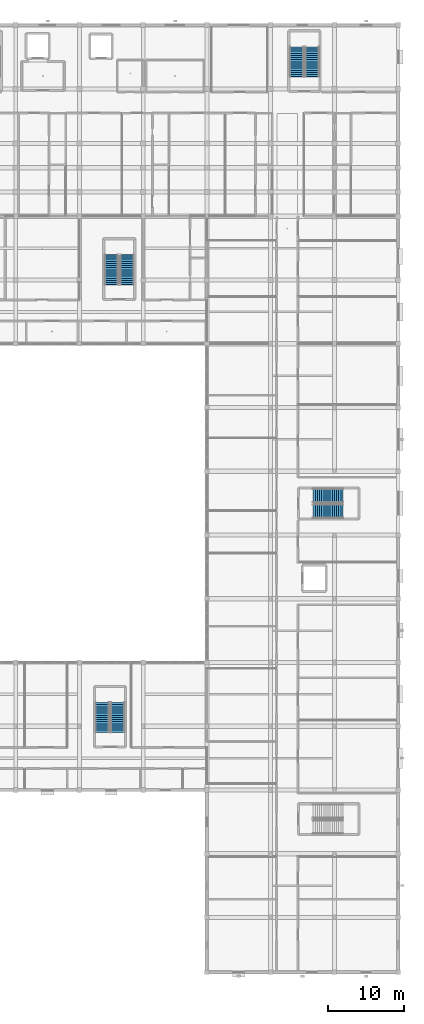
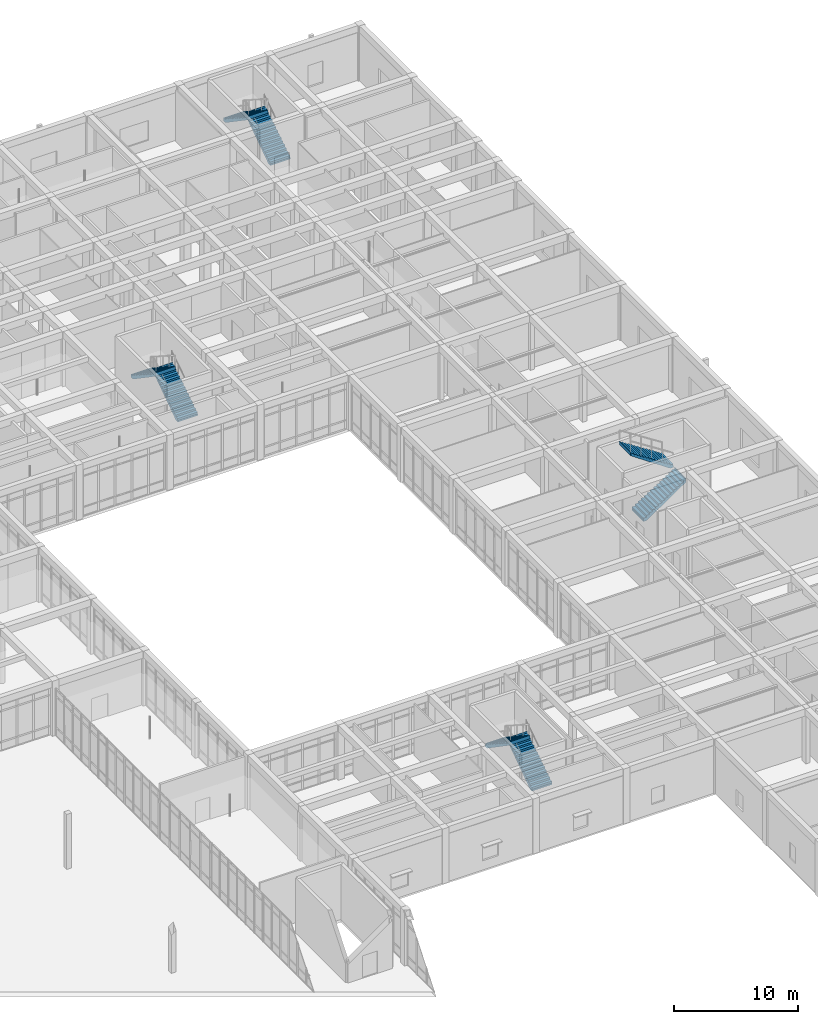
# One storey, part 98 of 157: 8 stair flights, 4 elements without a shape of their own.
"""IFC4 building model written with IfcOpenShell, lengths in metres."""

import ifcopenshell
import ifcopenshell.guid

model = None  # the IFC model being written
_history = None  # IfcOwnerHistory: only IFC2X3 demands one
_inside = {}  # id of a spatial element -> (the spatial element, [elements in it])
_under = {}  # id of a project, library or spatial element -> (it, [spatial elements below it])
_declared = {}  # id of a project -> (the project, [libraries it declares])
_typed = {}  # id of a type object -> (the type object, [elements of that type])
_made_of = {}  # id of a material, layer set ... -> (it, [elements and type objects made of it])


def new_model(schema):
    """Start an empty IFC model of exactly this schema.

    Asked for "IFC4X3", IfcOpenShell would pick the latest addendum, in which some entities
    have other attributes; the version numbers below select the first issue.
    IFC2X3 requires an IfcOwnerHistory on every rooted entity: one is made here for all.
    """
    global model, _history
    if schema == "IFC4X3":
        model = ifcopenshell.file(schema_version=(4, 3, 0, 0))
    else:
        model = ifcopenshell.file(schema=schema)
    _inside.clear()
    _under.clear()
    _declared.clear()
    _typed.clear()
    _made_of.clear()
    _history = None
    if model.schema == "IFC2X3":
        org = make("IfcOrganization", Name="unknown")
        user = make(
            "IfcPersonAndOrganization",
            ThePerson=make("IfcPerson", FamilyName="unknown"),
            TheOrganization=org,
        )
        app = make(
            "IfcApplication",
            ApplicationDeveloper=org,
            Version="unknown",
            ApplicationFullName="unknown",
            ApplicationIdentifier="unknown",
        )
        _history = make(
            "IfcOwnerHistory",
            OwningUser=user,
            OwningApplication=app,
            ChangeAction="ADDED",
            CreationDate=0,
        )
    return model


def make(cls, **values):
    """One entity of the class cls with the attributes given. An attribute that is None is left unset."""
    return model.create_entity(
        cls, **{name: value for name, value in values.items() if value is not None}
    )


def rooted(cls, **values):
    """An entity with a GlobalId (a new one), such as an element, a storey or a relation."""
    return make(cls, GlobalId=ifcopenshell.guid.new(), OwnerHistory=_history, **values)


def si_unit(unit_type, name, prefix=None):
    """IfcSIUnit, for example si_unit("LENGTHUNIT", "METRE", prefix="MILLI")."""
    return make("IfcSIUnit", UnitType=unit_type, Prefix=prefix, Name=name)


def assignment(units):
    """IfcUnitAssignment: the units of a project."""
    return None if units is None else make("IfcUnitAssignment", Units=units)


def point(xyz):
    """IfcCartesianPoint."""
    return None if xyz is None else make("IfcCartesianPoint", Coordinates=xyz)


def direction(xyz):
    """IfcDirection."""
    return None if xyz is None else make("IfcDirection", DirectionRatios=xyz)


def frame(location, z_axis=None, x_axis=None):
    """IfcAxis2Placement3D, a coordinate frame: its origin and axes. An axis left out is left unset."""
    return make(
        "IfcAxis2Placement3D",
        Location=point(location),
        Axis=direction(z_axis),
        RefDirection=direction(x_axis),
    )


def origin():
    """The frame at (0, 0, 0) with its axes left unset."""
    return frame((0.0, 0.0, 0.0))


def place(relative_to, where):
    """IfcLocalPlacement: puts the frame where relative to a parent placement (None: the world)."""
    return make(
        "IfcLocalPlacement", PlacementRelTo=relative_to, RelativePlacement=where
    )


def context(
    kind, dimensions, precision=None, world=None, true_north=None, identifier=None
):
    """IfcGeometricRepresentationContext, for example the 3D "Model" context."""
    return make(
        "IfcGeometricRepresentationContext",
        ContextIdentifier=identifier,
        ContextType=kind,
        CoordinateSpaceDimension=dimensions,
        Precision=precision,
        WorldCoordinateSystem=world,
        TrueNorth=true_north,
    )


def subcontext(parent, identifier, kind, view, scale=None):
    """IfcGeometricRepresentationSubContext, for example "Body" below "Model"."""
    return make(
        "IfcGeometricRepresentationSubContext",
        ContextIdentifier=identifier,
        ContextType=kind,
        ParentContext=parent,
        TargetScale=scale,
        TargetView=view,
    )


def project(units=None, contexts=None):
    """IfcProject with its units and contexts."""
    return rooted(
        "IfcProject",
        Name="project",
        RepresentationContexts=contexts,
        UnitsInContext=assignment(units),
    )


def spatial(cls, under=None, at=None, **own):
    """A site, building, storey or space (cls), placed at a placement, below another one or the project."""
    s = rooted(cls, ObjectPlacement=at, **own)
    if under is not None:
        _under.setdefault(under.id(), (under, []))[1].append(s)
    return s


def polyline(points):
    """IfcPolyline through the points."""
    return make("IfcPolyline", Points=[point(p) for p in points])


def outline(outer, holes=None, kind="AREA"):
    """IfcArbitraryClosedProfileDef: a profile drawn as a closed curve; with holes, ...WithVoids."""
    if holes is None:
        return make("IfcArbitraryClosedProfileDef", ProfileType=kind, OuterCurve=outer)
    return make(
        "IfcArbitraryProfileDefWithVoids",
        ProfileType=kind,
        OuterCurve=outer,
        InnerCurves=holes,
    )


def extrude(swept, where, along, depth):
    """IfcExtrudedAreaSolid: the profile swept, set in the frame where, extruded along a direction by depth."""
    return make(
        "IfcExtrudedAreaSolid",
        SweptArea=swept,
        Position=where,
        ExtrudedDirection=direction(along),
        Depth=depth,
    )


def shape(context_of_items, identifier, shape_type, items):
    """IfcShapeRepresentation: the items that make up one representation, for example the "Body"."""
    return make(
        "IfcShapeRepresentation",
        ContextOfItems=context_of_items,
        RepresentationIdentifier=identifier,
        RepresentationType=shape_type,
        Items=items,
    )


def material(Name=None, Category=None):
    """IfcMaterial."""
    return make("IfcMaterial", Name=Name, Category=Category)


def made_of(thing, what):
    """Note that an element or type object is made of a material, layer set ...; save() writes the relation."""
    if what is not None:
        _made_of.setdefault(what.id(), (what, []))[1].append(thing)
    return thing


def type_object(cls, material=None, **own):
    """A type object (cls), such as IfcWallType, which elements share."""
    return made_of(rooted(cls, **own), material)


def element(
    cls,
    number,
    at=None,
    inside=None,
    cuts=None,
    type_object=None,
    material=None,
    context=None,
    identifier="Body",
    shape_type=None,
    held_by="IfcProductDefinitionShape",
    body=None,
    shapes=None,
    **own,
):
    """One element of the class cls, such as IfcWall. Its Tag is "e" and its number.

    at: its placement. inside: the storey or other place that contains it. cuts: it is an
    opening in that element (IfcRelVoidsElement). A single representation is given by context,
    identifier, shape_type and body (its items); several are given by shapes. held_by: the class
    of the entity that holds the representations. save() writes the other relations.
    """
    e = rooted(cls, Tag="e%d" % number, ObjectPlacement=at, **own)
    if body is not None:
        shapes = [shape(context, identifier, shape_type, body)]
    if shapes is not None:
        e.Representation = make(held_by, Representations=shapes)
    if inside is not None:
        _inside.setdefault(inside.id(), (inside, []))[1].append(e)
    if cuts is not None:
        rooted(
            "IfcRelVoidsElement", RelatingBuildingElement=cuts, RelatedOpeningElement=e
        )
    if type_object is not None:
        _typed.setdefault(type_object.id(), (type_object, []))[1].append(e)
    return made_of(e, material)


def aggregate(whole, parts):
    """IfcRelAggregates: a whole, such as a stair, and the parts it consists of."""
    return rooted("IfcRelAggregates", RelatingObject=whole, RelatedObjects=parts)


def save(model, path):
    """Write the relations noted so far, then the file.

    IfcRelAggregates (storeys below a building ...), IfcRelContainedInSpatialStructure (elements
    in a storey), IfcRelDefinesByType, IfcRelAssociatesMaterial and IfcRelDeclares: one each for
    every whole, place, type object, material and project.
    """
    for whole, parts in _under.values():
        aggregate(whole, parts)
    for where, things in _inside.values():
        rooted(
            "IfcRelContainedInSpatialStructure",
            RelatedElements=things,
            RelatingStructure=where,
        )
    for kind, things in _typed.values():
        rooted("IfcRelDefinesByType", RelatedObjects=things, RelatingType=kind)
    for what, things in _made_of.values():
        rooted("IfcRelAssociatesMaterial", RelatedObjects=things, RelatingMaterial=what)
    for by, libraries in _declared.values():
        rooted("IfcRelDeclares", RelatingContext=by, RelatedDefinitions=libraries)
    model.write(path)


model = new_model("IFC4")

# Units and contexts
model_context = context("Model", 3, precision=1e-05, world=origin(), true_north=direction((0.0, 1.0)))
body_context = subcontext(model_context, "Body", "Model", "MODEL_VIEW")
ifc_project = project(units=[si_unit("LENGTHUNIT", "METRE"), si_unit("AREAUNIT", "SQUARE_METRE"), si_unit("VOLUMEUNIT", "CUBIC_METRE"), si_unit("PLANEANGLEUNIT", "RADIAN"), si_unit("MASSUNIT", "GRAM", prefix="KILO")], contexts=[model_context])

# Site, building, storey
site_placement = place(None, origin())
site = spatial("IfcSite", under=ifc_project, at=site_placement, CompositionType="ELEMENT")
building_placement = place(site_placement, origin())
building = spatial("IfcBuilding", under=site, at=building_placement, Name="Varncliffe General Hospital", CompositionType="ELEMENT")
storey_placement = place(building_placement, frame((0.0, 0.0, 5.39990234375)))
storey = spatial("IfcBuildingStorey", under=building, at=storey_placement, Name="L01", CompositionType="ELEMENT", Elevation=5.39990234375)

# Stair, stair flights
ifc_material = material(Name="Concrete C35/45 (CSA A23.1 35 MPa)", Category="concrete")
stair_type = type_object("IfcStairType", Name="Hospital Stair Assembly ST-T02 (1850w-5400h)", PredefinedType="TWO_STRAIGHT_RUN_STAIR", material=ifc_material)
stair_1_placement = place(storey_placement, origin())
stair_1 = element("IfcStair", 1, at=stair_1_placement, inside=storey, type_object=stair_type, Name="L01 North-East Ward Exit Stair 4", PredefinedType="TWO_STRAIGHT_RUN_STAIR")
stair_flight_type = type_object("IfcStairFlightType", Name="Hospital Stair Flight FL-T02 (1850w-5400h)", PredefinedType="STRAIGHT", material=ifc_material)
stair_flight_1_placement = place(storey_placement, frame((165.074951171875, 118.0, 0.0), z_axis=(0.0, 0.0, 1.0), x_axis=(0.0, 1.0, 0.0)))
stair_flight_1 = element("IfcStairFlight", 2, at=stair_flight_1_placement, type_object=stair_flight_type, Name="ST04 flight 1", NumberOfRisers=15, NumberOfTreads=14, PredefinedType="STRAIGHT", RiserHeight=0.18, TreadLength=0.28, context=body_context, shape_type="SweptSolid", body=[
    extrude(outline(polyline([(-0.02490234375, -0.14990234375), (-0.02490234375, 0.0), (0.0, 0.0), (0.0, 0.179931640625), (0.280029296875, 0.179931640625), (0.280029296875, 0.360107421875), (0.56005859375, 0.360107421875), (0.56005859375, 0.5400390625), (0.840087890625, 0.5400390625), (0.840087890625, 0.719970703125), (1.1201171875, 0.719970703125), (1.1201171875, 0.89990234375), (1.39990234375, 0.89990234375), (1.39990234375, 1.080078125), (1.679931640625, 1.080078125), (1.679931640625, 1.260009765625), (1.9599609375, 1.260009765625), (1.9599609375, 1.43994140625), (2.239990234375, 1.43994140625), (2.239990234375, 1.6201171875), (2.52001953125, 1.6201171875), (2.52001953125, 1.800048828125), (2.800048828125, 1.800048828125), (2.800048828125, 1.97998046875), (3.080078125, 1.97998046875), (3.080078125, 2.159912109375), (3.360107421875, 2.159912109375), (3.360107421875, 2.340087890625), (3.639892578125, 2.340087890625), (3.639892578125, 2.52001953125), (3.919921875, 2.52001953125), (3.919921875, 2.699951171875), (3.94482421875, 2.699951171875), (3.94482421875, 2.550048828125), (3.919921875, 2.341796875), (0.277099609375, -0.14990234375), (-0.02490234375, -0.14990234375)])), frame((0.0, 0.925048828125, 0.0), z_axis=(0.0, -1.0, 0.0), x_axis=(1.0, 0.0, 0.0)), (0.0, 0.0, 1.0), 1.85009765625),
])
stair_flight_2_placement = place(storey_placement, frame((163.02490234375, 121.919921875, 2.7001953125), z_axis=(0.0, 0.0, 1.0), x_axis=(0.0, -1.0, 0.0)))
stair_flight_2 = element("IfcStairFlight", 3, at=stair_flight_2_placement, type_object=stair_flight_type, Name="ST04 flight 2", NumberOfRisers=15, NumberOfTreads=14, PredefinedType="STRAIGHT", RiserHeight=0.18, TreadLength=0.28, context=body_context, shape_type="SweptSolid", body=[
    extrude(outline(polyline([(-0.02490234375, -0.14990234375), (-0.02490234375, 0.0), (0.0, 0.0), (0.0, 0.179931640625), (0.280029296875, 0.179931640625), (0.280029296875, 0.360107421875), (0.56005859375, 0.360107421875), (0.56005859375, 0.5400390625), (0.840087890625, 0.5400390625), (0.840087890625, 0.719970703125), (1.1201171875, 0.719970703125), (1.1201171875, 0.89990234375), (1.39990234375, 0.89990234375), (1.39990234375, 1.080078125), (1.679931640625, 1.080078125), (1.679931640625, 1.260009765625), (1.9599609375, 1.260009765625), (1.9599609375, 1.43994140625), (2.239990234375, 1.43994140625), (2.239990234375, 1.6201171875), (2.52001953125, 1.6201171875), (2.52001953125, 1.800048828125), (2.800048828125, 1.800048828125), (2.800048828125, 1.97998046875), (3.080078125, 1.97998046875), (3.080078125, 2.159912109375), (3.360107421875, 2.159912109375), (3.360107421875, 2.340087890625), (3.639892578125, 2.340087890625), (3.639892578125, 2.52001953125), (3.919921875, 2.52001953125), (3.919921875, 2.699951171875), (3.94482421875, 2.699951171875), (3.94482421875, 2.550048828125), (3.919921875, 2.341796875), (0.277099609375, -0.14990234375), (-0.02490234375, -0.14990234375)])), frame((0.0, 0.925048828125, 0.0), z_axis=(0.0, -1.0, 0.0), x_axis=(1.0, 0.0, 0.0)), (0.0, 0.0, 1.0), 1.85009765625),
])
aggregate(stair_1, [stair_flight_1, stair_flight_2])

stair_2_placement = place(storey_placement, origin())
stair_2 = element("IfcStair", 4, at=stair_2_placement, inside=storey, type_object=stair_type, Name="L01 Outpatient East Exit Stair 7", PredefinedType="TWO_STRAIGHT_RUN_STAIR")
stair_flight_3_placement = place(storey_placement, frame((165.199951171875, 60.72509765625, 0.0), z_axis=(0.0, 0.0, 1.0), x_axis=(1.0, 0.0, 0.0)))
stair_flight_3 = element("IfcStairFlight", 5, at=stair_flight_3_placement, type_object=stair_flight_type, Name="ST07 flight 1", NumberOfRisers=15, NumberOfTreads=14, PredefinedType="STRAIGHT", RiserHeight=0.18, TreadLength=0.28, context=body_context, shape_type="SweptSolid", body=[
    extrude(outline(polyline([(-0.02490234375, -0.14990234375), (-0.02490234375, 0.0), (0.0, 0.0), (0.0, 0.179931640625), (0.280029296875, 0.179931640625), (0.280029296875, 0.360107421875), (0.56005859375, 0.360107421875), (0.56005859375, 0.5400390625), (0.840087890625, 0.5400390625), (0.840087890625, 0.719970703125), (1.1201171875, 0.719970703125), (1.1201171875, 0.89990234375), (1.39990234375, 0.89990234375), (1.39990234375, 1.080078125), (1.679931640625, 1.080078125), (1.679931640625, 1.260009765625), (1.9599609375, 1.260009765625), (1.9599609375, 1.43994140625), (2.239990234375, 1.43994140625), (2.239990234375, 1.6201171875), (2.52001953125, 1.6201171875), (2.52001953125, 1.800048828125), (2.800048828125, 1.800048828125), (2.800048828125, 1.97998046875), (3.080078125, 1.97998046875), (3.080078125, 2.159912109375), (3.360107421875, 2.159912109375), (3.360107421875, 2.340087890625), (3.639892578125, 2.340087890625), (3.639892578125, 2.52001953125), (3.919921875, 2.52001953125), (3.919921875, 2.699951171875), (3.94482421875, 2.699951171875), (3.94482421875, 2.550048828125), (3.919921875, 2.341796875), (0.277099609375, -0.14990234375), (-0.02490234375, -0.14990234375)])), frame((0.0, 0.925048828125, 0.0), z_axis=(0.0, -1.0, 0.0), x_axis=(1.0, 0.0, 0.0)), (0.0, 0.0, 1.0), 1.85009765625),
])
stair_flight_4_placement = place(storey_placement, frame((169.1201171875, 62.77490234375, 2.7001953125), z_axis=(0.0, 0.0, 1.0), x_axis=(-1.0, 0.0, 0.0)))
stair_flight_4 = element("IfcStairFlight", 6, at=stair_flight_4_placement, type_object=stair_flight_type, Name="ST07 flight 2", NumberOfRisers=15, NumberOfTreads=14, PredefinedType="STRAIGHT", RiserHeight=0.18, TreadLength=0.28, context=body_context, shape_type="SweptSolid", body=[
    extrude(outline(polyline([(-0.02490234375, -0.14990234375), (-0.02490234375, 0.0), (0.0, 0.0), (0.0, 0.179931640625), (0.280029296875, 0.179931640625), (0.280029296875, 0.360107421875), (0.56005859375, 0.360107421875), (0.56005859375, 0.5400390625), (0.840087890625, 0.5400390625), (0.840087890625, 0.719970703125), (1.1201171875, 0.719970703125), (1.1201171875, 0.89990234375), (1.39990234375, 0.89990234375), (1.39990234375, 1.080078125), (1.679931640625, 1.080078125), (1.679931640625, 1.260009765625), (1.9599609375, 1.260009765625), (1.9599609375, 1.43994140625), (2.239990234375, 1.43994140625), (2.239990234375, 1.6201171875), (2.52001953125, 1.6201171875), (2.52001953125, 1.800048828125), (2.800048828125, 1.800048828125), (2.800048828125, 1.97998046875), (3.080078125, 1.97998046875), (3.080078125, 2.159912109375), (3.360107421875, 2.159912109375), (3.360107421875, 2.340087890625), (3.639892578125, 2.340087890625), (3.639892578125, 2.52001953125), (3.919921875, 2.52001953125), (3.919921875, 2.699951171875), (3.94482421875, 2.699951171875), (3.94482421875, 2.550048828125), (3.919921875, 2.341796875), (0.277099609375, -0.14990234375), (-0.02490234375, -0.14990234375)])), frame((0.0, 0.925048828125, 0.0), z_axis=(0.0, -1.0, 0.0), x_axis=(1.0, 0.0, 0.0)), (0.0, 0.0, 1.0), 1.85009765625),
])
aggregate(stair_2, [stair_flight_3, stair_flight_4])

stair_3_placement = place(storey_placement, origin())
stair_3 = element("IfcStair", 7, at=stair_3_placement, inside=storey, type_object=stair_type, Name="L01 East-Central Clinical Exit Stair 14", PredefinedType="TWO_STRAIGHT_RUN_STAIR")
stair_flight_5_placement = place(storey_placement, frame((140.675048828125, 90.60009765625, 0.0), z_axis=(0.0, 0.0, 1.0), x_axis=(0.0, 1.0, 0.0)))
stair_flight_5 = element("IfcStairFlight", 8, at=stair_flight_5_placement, type_object=stair_flight_type, Name="ST14 flight 1", NumberOfRisers=15, NumberOfTreads=14, PredefinedType="STRAIGHT", RiserHeight=0.18, TreadLength=0.28, context=body_context, shape_type="SweptSolid", body=[
    extrude(outline(polyline([(-0.02490234375, -0.14990234375), (-0.02490234375, 0.0), (0.0, 0.0), (0.0, 0.179931640625), (0.280029296875, 0.179931640625), (0.280029296875, 0.360107421875), (0.56005859375, 0.360107421875), (0.56005859375, 0.5400390625), (0.840087890625, 0.5400390625), (0.840087890625, 0.719970703125), (1.1201171875, 0.719970703125), (1.1201171875, 0.89990234375), (1.39990234375, 0.89990234375), (1.39990234375, 1.080078125), (1.679931640625, 1.080078125), (1.679931640625, 1.260009765625), (1.9599609375, 1.260009765625), (1.9599609375, 1.43994140625), (2.239990234375, 1.43994140625), (2.239990234375, 1.6201171875), (2.52001953125, 1.6201171875), (2.52001953125, 1.800048828125), (2.800048828125, 1.800048828125), (2.800048828125, 1.97998046875), (3.080078125, 1.97998046875), (3.080078125, 2.159912109375), (3.360107421875, 2.159912109375), (3.360107421875, 2.340087890625), (3.639892578125, 2.340087890625), (3.639892578125, 2.52001953125), (3.919921875, 2.52001953125), (3.919921875, 2.699951171875), (3.94482421875, 2.699951171875), (3.94482421875, 2.550048828125), (3.919921875, 2.341796875), (0.277099609375, -0.14990234375), (-0.02490234375, -0.14990234375)])), frame((0.0, 0.925048828125, 0.0), z_axis=(0.0, -1.0, 0.0), x_axis=(1.0, 0.0, 0.0)), (0.0, 0.0, 1.0), 1.85009765625),
])
stair_flight_6_placement = place(storey_placement, frame((138.625, 94.52001953125, 2.7001953125), z_axis=(0.0, 0.0, 1.0), x_axis=(0.0, -1.0, 0.0)))
stair_flight_6 = element("IfcStairFlight", 9, at=stair_flight_6_placement, type_object=stair_flight_type, Name="ST14 flight 2", NumberOfRisers=15, NumberOfTreads=14, PredefinedType="STRAIGHT", RiserHeight=0.18, TreadLength=0.28, context=body_context, shape_type="SweptSolid", body=[
    extrude(outline(polyline([(-0.02490234375, -0.14990234375), (-0.02490234375, 0.0), (0.0, 0.0), (0.0, 0.179931640625), (0.280029296875, 0.179931640625), (0.280029296875, 0.360107421875), (0.56005859375, 0.360107421875), (0.56005859375, 0.5400390625), (0.840087890625, 0.5400390625), (0.840087890625, 0.719970703125), (1.1201171875, 0.719970703125), (1.1201171875, 0.89990234375), (1.39990234375, 0.89990234375), (1.39990234375, 1.080078125), (1.679931640625, 1.080078125), (1.679931640625, 1.260009765625), (1.9599609375, 1.260009765625), (1.9599609375, 1.43994140625), (2.239990234375, 1.43994140625), (2.239990234375, 1.6201171875), (2.52001953125, 1.6201171875), (2.52001953125, 1.800048828125), (2.800048828125, 1.800048828125), (2.800048828125, 1.97998046875), (3.080078125, 1.97998046875), (3.080078125, 2.159912109375), (3.360107421875, 2.159912109375), (3.360107421875, 2.340087890625), (3.639892578125, 2.340087890625), (3.639892578125, 2.52001953125), (3.919921875, 2.52001953125), (3.919921875, 2.699951171875), (3.94482421875, 2.699951171875), (3.94482421875, 2.550048828125), (3.919921875, 2.341796875), (0.277099609375, -0.14990234375), (-0.02490234375, -0.14990234375)])), frame((0.0, 0.925048828125, 0.0), z_axis=(0.0, -1.0, 0.0), x_axis=(1.0, 0.0, 0.0)), (0.0, 0.0, 1.0), 1.85009765625),
])
aggregate(stair_3, [stair_flight_5, stair_flight_6])

stair_4_placement = place(storey_placement, origin())
stair_4 = element("IfcStair", 10, at=stair_4_placement, inside=storey, type_object=stair_type, Name="L01 Outpatient Cloister Exit Stair 15", PredefinedType="TWO_STRAIGHT_RUN_STAIR")
stair_flight_7_placement = place(storey_placement, frame((139.47509765625, 31.60009765625, 0.0), z_axis=(0.0, 0.0, 1.0), x_axis=(0.0, 1.0, 0.0)))
stair_flight_7 = element("IfcStairFlight", 11, at=stair_flight_7_placement, type_object=stair_flight_type, Name="ST15 flight 1", NumberOfRisers=15, NumberOfTreads=14, PredefinedType="STRAIGHT", RiserHeight=0.18, TreadLength=0.28, context=body_context, shape_type="SweptSolid", body=[
    extrude(outline(polyline([(-0.02490234375, -0.14990234375), (-0.02490234375, 0.0), (0.0, 0.0), (0.0, 0.179931640625), (0.280029296875, 0.179931640625), (0.280029296875, 0.360107421875), (0.56005859375, 0.360107421875), (0.56005859375, 0.5400390625), (0.840087890625, 0.5400390625), (0.840087890625, 0.719970703125), (1.1201171875, 0.719970703125), (1.1201171875, 0.89990234375), (1.39990234375, 0.89990234375), (1.39990234375, 1.080078125), (1.679931640625, 1.080078125), (1.679931640625, 1.260009765625), (1.9599609375, 1.260009765625), (1.9599609375, 1.43994140625), (2.239990234375, 1.43994140625), (2.239990234375, 1.6201171875), (2.52001953125, 1.6201171875), (2.52001953125, 1.800048828125), (2.800048828125, 1.800048828125), (2.800048828125, 1.97998046875), (3.080078125, 1.97998046875), (3.080078125, 2.159912109375), (3.360107421875, 2.159912109375), (3.360107421875, 2.340087890625), (3.639892578125, 2.340087890625), (3.639892578125, 2.52001953125), (3.919921875, 2.52001953125), (3.919921875, 2.699951171875), (3.94482421875, 2.699951171875), (3.94482421875, 2.550048828125), (3.919921875, 2.341796875), (0.277099609375, -0.14990234375), (-0.02490234375, -0.14990234375)])), frame((0.0, 0.925048828125, 0.0), z_axis=(0.0, -1.0, 0.0), x_axis=(1.0, 0.0, 0.0)), (0.0, 0.0, 1.0), 1.85009765625),
])
stair_flight_8_placement = place(storey_placement, frame((137.425048828125, 35.52001953125, 2.7001953125), z_axis=(0.0, 0.0, 1.0), x_axis=(0.0, -1.0, 0.0)))
stair_flight_8 = element("IfcStairFlight", 12, at=stair_flight_8_placement, type_object=stair_flight_type, Name="ST15 flight 2", NumberOfRisers=15, NumberOfTreads=14, PredefinedType="STRAIGHT", RiserHeight=0.18, TreadLength=0.28, context=body_context, shape_type="SweptSolid", body=[
    extrude(outline(polyline([(-0.02490234375, -0.14990234375), (-0.02490234375, 0.0), (0.0, 0.0), (0.0, 0.179931640625), (0.280029296875, 0.179931640625), (0.280029296875, 0.360107421875), (0.56005859375, 0.360107421875), (0.56005859375, 0.5400390625), (0.840087890625, 0.5400390625), (0.840087890625, 0.719970703125), (1.1201171875, 0.719970703125), (1.1201171875, 0.89990234375), (1.39990234375, 0.89990234375), (1.39990234375, 1.080078125), (1.679931640625, 1.080078125), (1.679931640625, 1.260009765625), (1.9599609375, 1.260009765625), (1.9599609375, 1.43994140625), (2.239990234375, 1.43994140625), (2.239990234375, 1.6201171875), (2.52001953125, 1.6201171875), (2.52001953125, 1.800048828125), (2.800048828125, 1.800048828125), (2.800048828125, 1.97998046875), (3.080078125, 1.97998046875), (3.080078125, 2.159912109375), (3.360107421875, 2.159912109375), (3.360107421875, 2.340087890625), (3.639892578125, 2.340087890625), (3.639892578125, 2.52001953125), (3.919921875, 2.52001953125), (3.919921875, 2.699951171875), (3.94482421875, 2.699951171875), (3.94482421875, 2.550048828125), (3.919921875, 2.341796875), (0.277099609375, -0.14990234375), (-0.02490234375, -0.14990234375)])), frame((0.0, 0.925048828125, 0.0), z_axis=(0.0, -1.0, 0.0), x_axis=(1.0, 0.0, 0.0)), (0.0, 0.0, 1.0), 1.85009765625),
])
aggregate(stair_4, [stair_flight_7, stair_flight_8])

save(model, "model.ifc")
